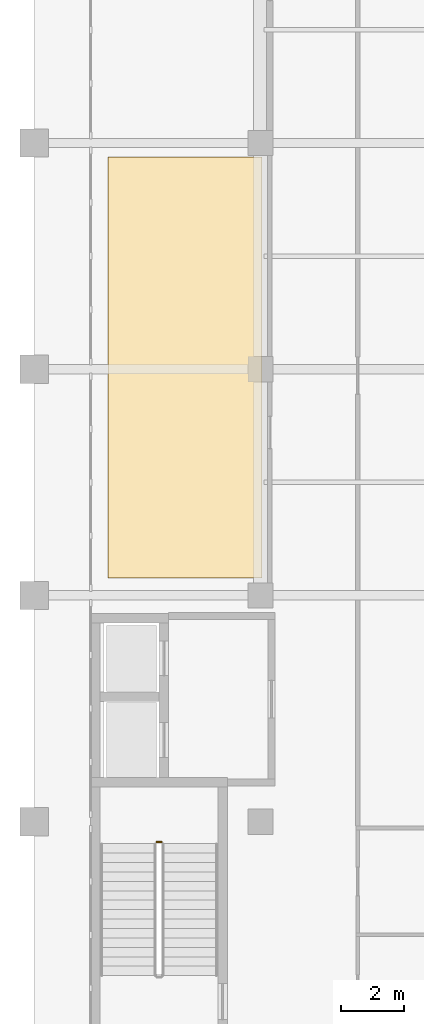
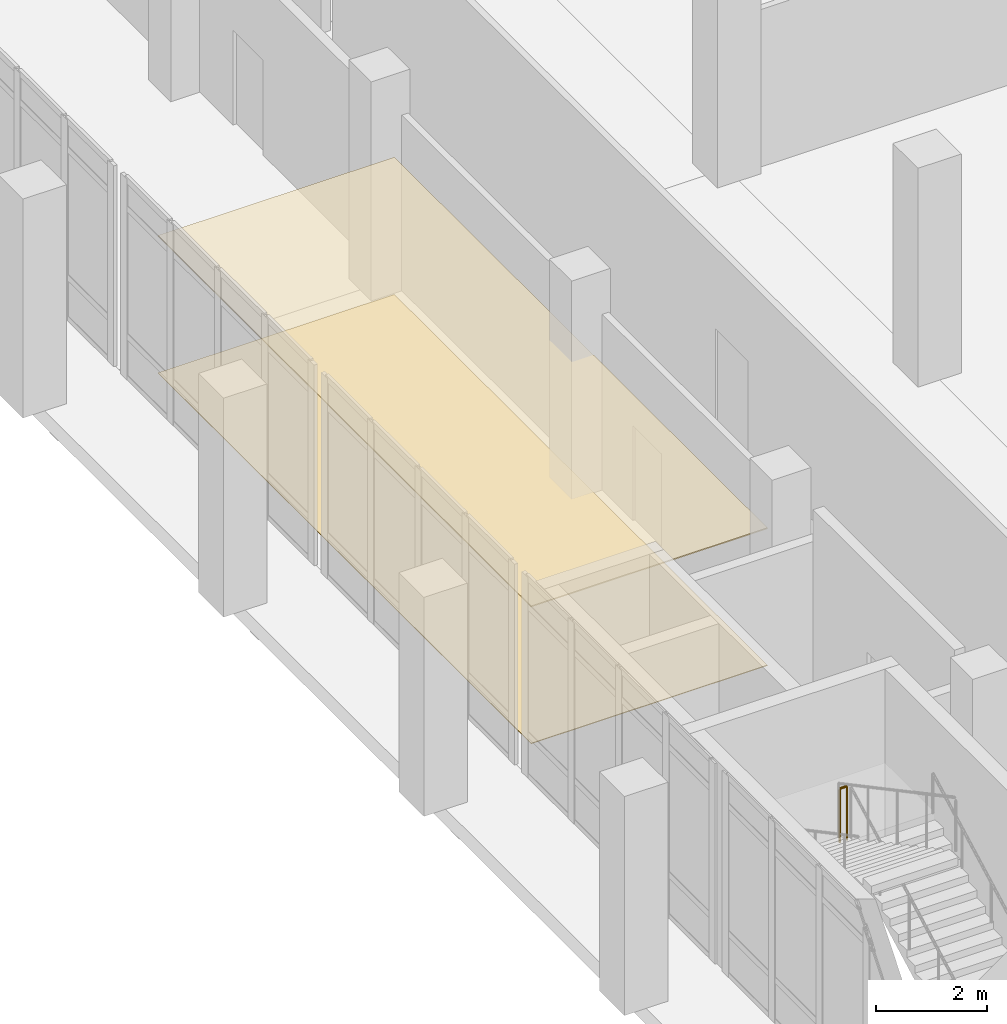
# One storey, part 48 of 59: 2 coverings, 1 railing.
"""IFC4 building model written with IfcOpenShell, lengths in metres."""

from ifc_helpers import new_model, si_unit, direction, frame, origin, origin_2d, place, context, subcontext, project, spatial, polyline, circle, outline, extrude, material, layer, layer_set, type_object, element, save


model = new_model("IFC4")

# Units and contexts
model_context = context("Model", 3, precision=1e-05, world=origin(), true_north=direction((0.0, 1.0)))
body_context = subcontext(model_context, "Body", "Model", "MODEL_VIEW")
ifc_project = project(units=[si_unit("LENGTHUNIT", "METRE"), si_unit("AREAUNIT", "SQUARE_METRE"), si_unit("VOLUMEUNIT", "CUBIC_METRE"), si_unit("PLANEANGLEUNIT", "RADIAN"), si_unit("MASSUNIT", "GRAM", prefix="KILO")], contexts=[model_context])

# Site, building, storey
site_placement = place(None, origin())
site = spatial("IfcSite", under=ifc_project, at=site_placement, CompositionType="ELEMENT")
building_placement = place(site_placement, origin())
building = spatial("IfcBuilding", under=site, at=building_placement, Name="Valkovuoma Quantum and Materials Research Institute", CompositionType="ELEMENT")
storey_placement = place(building_placement, origin())
storey = spatial("IfcBuildingStorey", under=building, at=storey_placement, Name="L00", CompositionType="ELEMENT", Elevation=0.0)

# Coverings
ifc_material_1 = material(Name="Cleanable acoustic mineral-fibre suspended ceiling", Category="masonry")
ifc_layer_1 = layer(ifc_material_1, 0.02490234375)
ifc_layer_set_1 = layer_set([ifc_layer_1], Name="Cleanable acoustic mineral-fibre suspended ceiling")
covering_type_1 = type_object("IfcCoveringType", Name="Cov-CEIL-01", PredefinedType="CEILING", material=ifc_layer_set_1)
covering_1_placement = place(storey_placement, frame((0.0, 0.0, 3.0)))
element("IfcCovering", 1, at=covering_1_placement, inside=storey, type_object=covering_type_1, Name="L00 acoustic ceiling 0008", PredefinedType="CEILING", context=body_context, shape_type="SweptSolid", body=[
    extrude(outline(polyline([(2.35009765625, 43.75), (7.25, 43.75), (7.25, 57.14990234375), (2.35009765625, 57.14990234375), (2.35009765625, 43.75)])), origin(), (0.0, 0.0, 1.0), 0.02490234375),
])
ifc_material_2 = material(Name="Seamless dissipative laboratory resin flooring", Category="masonry")
ifc_layer_2 = layer(ifc_material_2, 0.014892578125)
ifc_layer_set_2 = layer_set([ifc_layer_2], Name="Seamless dissipative laboratory resin flooring")
covering_type_2 = type_object("IfcCoveringType", Name="Cov-FLOR-01", PredefinedType="FLOORING", material=ifc_layer_set_2)
covering_2_placement = place(storey_placement, origin())
element("IfcCovering", 2, at=covering_2_placement, inside=storey, type_object=covering_type_2, Name="L00 resin flooring 0008", PredefinedType="FLOORING", context=body_context, shape_type="SweptSolid", body=[
    extrude(outline(polyline([(2.35009765625, 43.75), (7.25, 43.75), (7.25, 57.14990234375), (2.35009765625, 57.14990234375), (2.35009765625, 43.75)])), origin(), (0.0, 0.0, 1.0), 0.014892578125),
])

# Railing
ifc_material_3 = material(Name="Painted steel stair balustrade", Category="steel")
railing_type = type_object("IfcRailingType", Name="Rail-GRD-ST", PredefinedType="BALUSTRADE", material=ifc_material_3)
railing_placement = place(storey_placement, frame((4.050048828125, 35.35009765625, 2.39990234375)))
element("IfcRailing", 3, at=railing_placement, inside=storey, type_object=railing_type, Name="L00 ST-1 stair guard 2", PredefinedType="BALUSTRADE", context=body_context, shape_type="SweptSolid", body=[
    extrude(circle(Radius=0.02392578125, at=origin_2d()), frame((0.0, 0.0, 1.17578125), z_axis=(-1.0, 0.0, 0.0), x_axis=(0.0, -1.0, 0.0)), (0.0, 0.0, 1.0), 0.150146484375),
    extrude(circle(Radius=0.02099609375, at=origin_2d()), origin(), (0.0, 0.0, 1.0), 1.15185546875),
    extrude(circle(Radius=0.02099609375, at=origin_2d()), frame((-0.150146484375, 0.0, 0.0)), (0.0, 0.0, 1.0), 1.15185546875),
])

save(model, "model.ifc")
